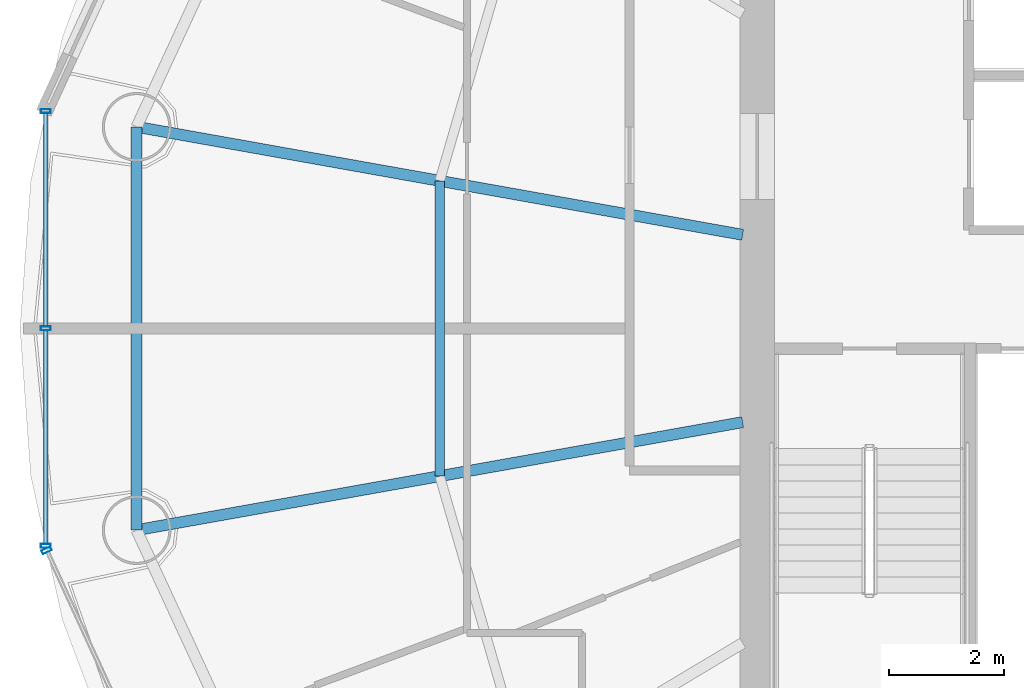
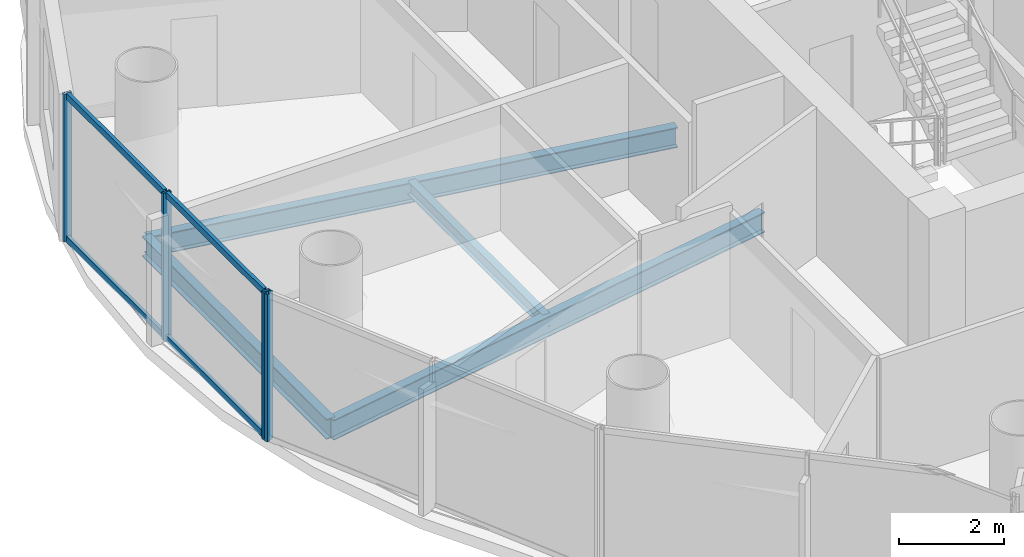
# One storey, part 7 of 26: 8 members, 4 beams, 2 elements without a shape of their own.
"""IFC4 building model written with IfcOpenShell, lengths in metres."""

import ifcopenshell
import ifcopenshell.guid

model = None  # the IFC model being written
_history = None  # IfcOwnerHistory: only IFC2X3 demands one
_inside = {}  # id of a spatial element -> (the spatial element, [elements in it])
_under = {}  # id of a project, library or spatial element -> (it, [spatial elements below it])
_declared = {}  # id of a project -> (the project, [libraries it declares])
_typed = {}  # id of a type object -> (the type object, [elements of that type])
_made_of = {}  # id of a material, layer set ... -> (it, [elements and type objects made of it])


def new_model(schema):
    """Start an empty IFC model of exactly this schema.

    Asked for "IFC4X3", IfcOpenShell would pick the latest addendum, in which some entities
    have other attributes; the version numbers below select the first issue.
    IFC2X3 requires an IfcOwnerHistory on every rooted entity: one is made here for all.
    """
    global model, _history
    if schema == "IFC4X3":
        model = ifcopenshell.file(schema_version=(4, 3, 0, 0))
    else:
        model = ifcopenshell.file(schema=schema)
    _inside.clear()
    _under.clear()
    _declared.clear()
    _typed.clear()
    _made_of.clear()
    _history = None
    if model.schema == "IFC2X3":
        org = make("IfcOrganization", Name="unknown")
        user = make(
            "IfcPersonAndOrganization",
            ThePerson=make("IfcPerson", FamilyName="unknown"),
            TheOrganization=org,
        )
        app = make(
            "IfcApplication",
            ApplicationDeveloper=org,
            Version="unknown",
            ApplicationFullName="unknown",
            ApplicationIdentifier="unknown",
        )
        _history = make(
            "IfcOwnerHistory",
            OwningUser=user,
            OwningApplication=app,
            ChangeAction="ADDED",
            CreationDate=0,
        )
    return model


def make(cls, **values):
    """One entity of the class cls with the attributes given. An attribute that is None is left unset."""
    return model.create_entity(
        cls, **{name: value for name, value in values.items() if value is not None}
    )


def rooted(cls, **values):
    """An entity with a GlobalId (a new one), such as an element, a storey or a relation."""
    return make(cls, GlobalId=ifcopenshell.guid.new(), OwnerHistory=_history, **values)


def si_unit(unit_type, name, prefix=None):
    """IfcSIUnit, for example si_unit("LENGTHUNIT", "METRE", prefix="MILLI")."""
    return make("IfcSIUnit", UnitType=unit_type, Prefix=prefix, Name=name)


def assignment(units):
    """IfcUnitAssignment: the units of a project."""
    return None if units is None else make("IfcUnitAssignment", Units=units)


def point(xyz):
    """IfcCartesianPoint."""
    return None if xyz is None else make("IfcCartesianPoint", Coordinates=xyz)


def direction(xyz):
    """IfcDirection."""
    return None if xyz is None else make("IfcDirection", DirectionRatios=xyz)


def frame(location, z_axis=None, x_axis=None):
    """IfcAxis2Placement3D, a coordinate frame: its origin and axes. An axis left out is left unset."""
    return make(
        "IfcAxis2Placement3D",
        Location=point(location),
        Axis=direction(z_axis),
        RefDirection=direction(x_axis),
    )


def frame_2d(location, x_axis=None):
    """IfcAxis2Placement2D, a coordinate frame in the plane: its origin and x axis."""
    return make(
        "IfcAxis2Placement2D", Location=point(location), RefDirection=direction(x_axis)
    )


def origin():
    """The frame at (0, 0, 0) with its axes left unset."""
    return frame((0.0, 0.0, 0.0))


def origin_2d():
    """The frame at (0, 0) in the plane with its x axis left unset."""
    return frame_2d((0.0, 0.0))


def place(relative_to, where):
    """IfcLocalPlacement: puts the frame where relative to a parent placement (None: the world)."""
    return make(
        "IfcLocalPlacement", PlacementRelTo=relative_to, RelativePlacement=where
    )


def context(
    kind, dimensions, precision=None, world=None, true_north=None, identifier=None
):
    """IfcGeometricRepresentationContext, for example the 3D "Model" context."""
    return make(
        "IfcGeometricRepresentationContext",
        ContextIdentifier=identifier,
        ContextType=kind,
        CoordinateSpaceDimension=dimensions,
        Precision=precision,
        WorldCoordinateSystem=world,
        TrueNorth=true_north,
    )


def subcontext(parent, identifier, kind, view, scale=None):
    """IfcGeometricRepresentationSubContext, for example "Body" below "Model"."""
    return make(
        "IfcGeometricRepresentationSubContext",
        ContextIdentifier=identifier,
        ContextType=kind,
        ParentContext=parent,
        TargetScale=scale,
        TargetView=view,
    )


def project(units=None, contexts=None):
    """IfcProject with its units and contexts."""
    return rooted(
        "IfcProject",
        Name="project",
        RepresentationContexts=contexts,
        UnitsInContext=assignment(units),
    )


def spatial(cls, under=None, at=None, **own):
    """A site, building, storey or space (cls), placed at a placement, below another one or the project."""
    s = rooted(cls, ObjectPlacement=at, **own)
    if under is not None:
        _under.setdefault(under.id(), (under, []))[1].append(s)
    return s


def profile(cls, at=None, kind="AREA", **sizes):
    """A parametric profile (cls). Its sizes go by their IFC names, for example OverallWidth=200.0."""
    return make(cls, ProfileType=kind, Position=at, **sizes)


def hollow_rectangle(**sizes):
    """IfcRectangleHollowProfileDef."""
    return profile("IfcRectangleHollowProfileDef", **sizes)


def i_section(**sizes):
    """IfcIShapeProfileDef."""
    return profile("IfcIShapeProfileDef", **sizes)


def extrude(swept, where, along, depth):
    """IfcExtrudedAreaSolid: the profile swept, set in the frame where, extruded along a direction by depth."""
    return make(
        "IfcExtrudedAreaSolid",
        SweptArea=swept,
        Position=where,
        ExtrudedDirection=direction(along),
        Depth=depth,
    )


def shape(context_of_items, identifier, shape_type, items):
    """IfcShapeRepresentation: the items that make up one representation, for example the "Body"."""
    return make(
        "IfcShapeRepresentation",
        ContextOfItems=context_of_items,
        RepresentationIdentifier=identifier,
        RepresentationType=shape_type,
        Items=items,
    )


def source(mapping_origin, context_of_items, identifier, shape_type, items):
    """IfcRepresentationMap: a shape defined once, which mapped items show again and again."""
    return make(
        "IfcRepresentationMap",
        MappingOrigin=mapping_origin,
        MappedRepresentation=shape(context_of_items, identifier, shape_type, items),
    )


def transform(
    local_origin,
    x_axis=None,
    y_axis=None,
    z_axis=None,
    scale=None,
    scale2=None,
    scale3=None,
    uniform=True,
):
    """IfcCartesianTransformationOperator3D, or its non-uniform kind. x_axis, y_axis, z_axis: its Axis1, 2, 3."""
    if uniform:
        return make(
            "IfcCartesianTransformationOperator3D",
            Axis1=direction(x_axis),
            Axis2=direction(y_axis),
            LocalOrigin=point(local_origin),
            Scale=scale,
            Axis3=direction(z_axis),
        )
    return make(
        "IfcCartesianTransformationOperator3DnonUniform",
        Axis1=direction(x_axis),
        Axis2=direction(y_axis),
        LocalOrigin=point(local_origin),
        Scale=scale,
        Axis3=direction(z_axis),
        Scale2=scale2,
        Scale3=scale3,
    )


def mapped(mapping_source, mapping_target):
    """IfcMappedItem: shows the shape of a source again, moved by a transform."""
    return make(
        "IfcMappedItem", MappingSource=mapping_source, MappingTarget=mapping_target
    )


def material(Name=None, Category=None):
    """IfcMaterial."""
    return make("IfcMaterial", Name=Name, Category=Category)


def material_profile(
    of_material, cross_section, Name=None, Category=None, Priority=None
):
    """IfcMaterialProfile: a cross section and its material."""
    return make(
        "IfcMaterialProfile",
        Name=Name,
        Material=of_material,
        Profile=cross_section,
        Priority=Priority,
        Category=Category,
    )


def profile_set(profiles, Name=None, composite=None):
    """IfcMaterialProfileSet."""
    return make(
        "IfcMaterialProfileSet",
        Name=Name,
        MaterialProfiles=profiles,
        CompositeProfile=composite,
    )


def made_of(thing, what):
    """Note that an element or type object is made of a material, layer set ...; save() writes the relation."""
    if what is not None:
        _made_of.setdefault(what.id(), (what, []))[1].append(thing)
    return thing


def type_object(cls, material=None, **own):
    """A type object (cls), such as IfcWallType, which elements share."""
    return made_of(rooted(cls, **own), material)


def element(
    cls,
    number,
    at=None,
    inside=None,
    cuts=None,
    type_object=None,
    material=None,
    context=None,
    identifier="Body",
    shape_type=None,
    held_by="IfcProductDefinitionShape",
    body=None,
    shapes=None,
    **own,
):
    """One element of the class cls, such as IfcWall. Its Tag is "e" and its number.

    at: its placement. inside: the storey or other place that contains it. cuts: it is an
    opening in that element (IfcRelVoidsElement). A single representation is given by context,
    identifier, shape_type and body (its items); several are given by shapes. held_by: the class
    of the entity that holds the representations. save() writes the other relations.
    """
    e = rooted(cls, Tag="e%d" % number, ObjectPlacement=at, **own)
    if body is not None:
        shapes = [shape(context, identifier, shape_type, body)]
    if shapes is not None:
        e.Representation = make(held_by, Representations=shapes)
    if inside is not None:
        _inside.setdefault(inside.id(), (inside, []))[1].append(e)
    if cuts is not None:
        rooted(
            "IfcRelVoidsElement", RelatingBuildingElement=cuts, RelatedOpeningElement=e
        )
    if type_object is not None:
        _typed.setdefault(type_object.id(), (type_object, []))[1].append(e)
    return made_of(e, material)


def aggregate(whole, parts):
    """IfcRelAggregates: a whole, such as a stair, and the parts it consists of."""
    return rooted("IfcRelAggregates", RelatingObject=whole, RelatedObjects=parts)


def save(model, path):
    """Write the relations noted so far, then the file.

    IfcRelAggregates (storeys below a building ...), IfcRelContainedInSpatialStructure (elements
    in a storey), IfcRelDefinesByType, IfcRelAssociatesMaterial and IfcRelDeclares: one each for
    every whole, place, type object, material and project.
    """
    for whole, parts in _under.values():
        aggregate(whole, parts)
    for where, things in _inside.values():
        rooted(
            "IfcRelContainedInSpatialStructure",
            RelatedElements=things,
            RelatingStructure=where,
        )
    for kind, things in _typed.values():
        rooted("IfcRelDefinesByType", RelatedObjects=things, RelatingType=kind)
    for what, things in _made_of.values():
        rooted("IfcRelAssociatesMaterial", RelatedObjects=things, RelatingMaterial=what)
    for by, libraries in _declared.values():
        rooted("IfcRelDeclares", RelatingContext=by, RelatedDefinitions=libraries)
    model.write(path)


model = new_model("IFC4")

# Units and contexts
model_context = context("Model", 3, precision=1e-05, world=origin(), true_north=direction((-0.2419218956, 0.970295726276)))
body_context = subcontext(model_context, "Body", "Model", "MODEL_VIEW")
ifc_project = project(units=[si_unit("LENGTHUNIT", "METRE"), si_unit("AREAUNIT", "SQUARE_METRE"), si_unit("VOLUMEUNIT", "CUBIC_METRE"), si_unit("PLANEANGLEUNIT", "RADIAN"), si_unit("MASSUNIT", "GRAM", prefix="KILO")], contexts=[model_context])

# Site, building, storey
site_placement = place(None, origin())
site = spatial("IfcSite", under=ifc_project, at=site_placement, CompositionType="ELEMENT")
building_placement = place(site_placement, origin())
building = spatial("IfcBuilding", under=site, at=building_placement, Name="Cobrevalo Terracotta Tower", CompositionType="ELEMENT")
storey_placement = place(building_placement, frame((0.0, 0.0, 213.39990234375)))
storey = spatial("IfcBuildingStorey", under=building, at=storey_placement, Name="L56", CompositionType="ELEMENT", Elevation=213.39990234375)

# Beams
ifc_material_1 = material(Name="Steel S355", Category="steel")
ifc_material_profile_1 = material_profile(ifc_material_1, i_section(OverallWidth=0.194091796875, OverallDepth=0.468994140625, WebThickness=0.011474609375, FlangeThickness=0.0205078125, at=origin_2d()), Name="W 460x106")
ifc_profile_set_1 = profile_set([ifc_material_profile_1], Name="Steel S355")
beam_type_1 = type_object("IfcBeamType", Name="Structural Beam W 460x106 (Steel S355)", PredefinedType="BEAM", material=ifc_profile_set_1)
for number, where, z_axis, x_axis, name in (
    (1, (18.237060546875, 30.3212890625, -0.49951171875), (0.98449712063, -0.175400739656, 0.0), (0.175400739656, 0.98449712063, 0.0), "L56 radial floor girder 08"),
    (2, (18.237060546875, 23.278564453125, -0.49951171875), (0.984493198547, 0.175422752274, 0.0), (-0.175422752274, 0.984493198547, 0.0), "L56 radial floor girder 09"),
):
    element("IfcBeam", number, at=place(storey_placement, frame(where, z_axis=z_axis, x_axis=x_axis)), inside=storey, type_object=beam_type_1, Name=name, PredefinedType="BEAM", context=body_context, shape_type="SweptSolid", body=[
        extrude(i_section(OverallWidth=0.194091796875, OverallDepth=0.468994140625, WebThickness=0.011474609375, FlangeThickness=0.0205078125, at=origin_2d()), origin(), (0.0, 0.0, 1.0), 10.749755859375),
    ])
ifc_material_profile_2 = material_profile(ifc_material_1, i_section(OverallWidth=0.1650390625, OverallDepth=0.31005859375, WebThickness=0.005859375, FlangeThickness=0.009765625, at=origin_2d()), Name="W 310x38.7")
ifc_profile_set_2 = profile_set([ifc_material_profile_2], Name="Steel S355")
beam_type_2 = type_object("IfcBeamType", Name="Structural Joist W 310x38.7 (Steel S355)", PredefinedType="JOIST", material=ifc_profile_set_2)
beam_1_placement = place(storey_placement, frame((23.528564453125, 29.378662109375, -0.419921875), z_axis=(0.0, -1.0, 0.0), x_axis=(1.0, 0.0, 0.0)))
element("IfcBeam", 3, at=beam_1_placement, inside=storey, type_object=beam_type_2, Name="L56 circumferential secondary floor joist 08", PredefinedType="JOIST", context=body_context, shape_type="SweptSolid", body=[
    extrude(i_section(OverallWidth=0.1650390625, OverallDepth=0.31005859375, WebThickness=0.005859375, FlangeThickness=0.009765625, at=origin_2d()), origin(), (0.0, 0.0, 1.0), 5.1572265625),
])
ifc_material_profile_3 = material_profile(ifc_material_1, i_section(OverallWidth=0.194091796875, OverallDepth=0.468994140625, WebThickness=0.011474609375, FlangeThickness=0.0205078125, at=origin_2d()), Name="W 460x106")
ifc_profile_set_3 = profile_set([ifc_material_profile_3], Name="Steel S355")
beam_type_3 = type_object("IfcBeamType", Name="Structural Spandrel W 460x106 (Steel S355)", PredefinedType="SPANDREL", material=ifc_profile_set_3)
beam_2_placement = place(storey_placement, frame((18.237060546875, 30.3212890625, -0.49951171875), z_axis=(0.0, -1.0, 0.0), x_axis=(1.0, 0.0, 0.0)))
element("IfcBeam", 4, at=beam_2_placement, inside=storey, type_object=beam_type_3, Name="L56 perimeter ring spandrel 08", PredefinedType="SPANDREL", context=body_context, shape_type="SweptSolid", body=[
    extrude(i_section(OverallWidth=0.194091796875, OverallDepth=0.468994140625, WebThickness=0.011474609375, FlangeThickness=0.0205078125, at=origin_2d()), origin(), (0.0, 0.0, 1.0), 7.042724609375),
])

# Curtain wall, members
ifc_material_2 = material(Name="Anodized aluminium", Category="aluminium")
curtain_wall_type = type_object("IfcCurtainWallType", Name="Mid-tower high-wind unitised curtain wall CW-U2", PredefinedType="NOTDEFINED", material=ifc_material_2)
curtain_wall_1_placement = place(storey_placement, origin())
curtain_wall_1 = element("IfcCurtainWall", 5, at=curtain_wall_1_placement, inside=storey, type_object=curtain_wall_type, Name="L56 curtain wall CW-L56-S08", PredefinedType="NOTDEFINED")
ifc_material_profile_4 = material_profile(ifc_material_2, hollow_rectangle(XDim=0.074951171875, YDim=0.14990234375, WallThickness=0.00439453125, at=origin_2d()), Name="CWT 75x150")
ifc_profile_set_4 = profile_set([ifc_material_profile_4], Name="Anodized aluminium")
member_type_1 = type_object("IfcMemberType", Name="Tower unitised aluminium transom 75x150", PredefinedType="USERDEFINED", material=ifc_profile_set_4)
shared_shape_1 = source(origin(), body_context, "Body", "SweptSolid", [
    extrude(hollow_rectangle(XDim=0.074951171875, YDim=0.14990234375, WallThickness=0.00439453125, at=origin_2d()), origin(), (0.0, 0.0, 1.0), 3.71728515625),
])
member_1_placement = place(storey_placement, frame((16.648193359375, 30.557373046875, 0.050048828125), z_axis=(0.0, -1.0, 0.0), x_axis=(1.0, 0.0, 0.0)))
member_1 = element("IfcMember", 6, at=member_1_placement, type_object=member_type_1, Name="CW-L56-S08 transom B01-T1", ObjectType="TRANSOM", PredefinedType="USERDEFINED", context=body_context, shape_type="MappedRepresentation", body=[
    mapped(shared_shape_1, transform((0.0, 0.0, 0.0), scale=1.0)),
])
member_2_placement = place(storey_placement, frame((16.648193359375, 30.557373046875, 3.385009765625), z_axis=(0.0, -1.0, 0.0), x_axis=(1.0, 0.0, 0.0)))
member_2 = element("IfcMember", 7, at=member_2_placement, type_object=member_type_1, Name="CW-L56-S08 transom B01-T2", ObjectType="TRANSOM", PredefinedType="USERDEFINED", context=body_context, shape_type="MappedRepresentation", body=[
    mapped(shared_shape_1, transform((0.0, 0.0, 0.0), scale=1.0)),
])
shared_shape_2 = source(origin(), body_context, "Body", "SweptSolid", [
    extrude(hollow_rectangle(XDim=0.074951171875, YDim=0.14990234375, WallThickness=0.00439453125, at=origin_2d()), origin(), (0.0, 0.0, 1.0), 3.717529296875),
])
member_3_placement = place(storey_placement, frame((16.648193359375, 26.760009765625, 0.050048828125), z_axis=(0.0, -1.0, 0.0), x_axis=(1.0, 0.0, 0.0)))
member_3 = element("IfcMember", 8, at=member_3_placement, type_object=member_type_1, Name="CW-L56-S08 transom B02-T1", ObjectType="TRANSOM", PredefinedType="USERDEFINED", context=body_context, shape_type="MappedRepresentation", body=[
    mapped(shared_shape_2, transform((0.0, 0.0, 0.0), scale=1.0)),
])
member_4_placement = place(storey_placement, frame((16.648193359375, 26.760009765625, 3.385009765625), z_axis=(0.0, -1.0, 0.0), x_axis=(1.0, 0.0, 0.0)))
member_4 = element("IfcMember", 9, at=member_4_placement, type_object=member_type_1, Name="CW-L56-S08 transom B02-T2", ObjectType="TRANSOM", PredefinedType="USERDEFINED", context=body_context, shape_type="MappedRepresentation", body=[
    mapped(shared_shape_2, transform((0.0, 0.0, 0.0), scale=1.0)),
])
ifc_material_profile_5 = material_profile(ifc_material_2, hollow_rectangle(XDim=0.070068359375, YDim=0.169921875, WallThickness=0.00439453125, at=origin_2d()), Name="CWM 70x170")
ifc_profile_set_5 = profile_set([ifc_material_profile_5], Name="Anodized aluminium")
member_type_2 = type_object("IfcMemberType", Name="Upper tower unitised mullion 70x170", PredefinedType="MULLION", material=ifc_profile_set_5)
shared_shape_3 = source(origin(), body_context, "Body", "SweptSolid", [
    extrude(hollow_rectangle(XDim=0.070068359375, YDim=0.169921875, WallThickness=0.00439453125, at=origin_2d()), origin(), (0.0, 0.0, 1.0), 3.43505859375),
])
member_5_placement = place(storey_placement, frame((16.648193359375, 30.597412109375, 0.0), z_axis=(0.0, 0.0, 1.0), x_axis=(0.0, -1.0, 0.0)))
member_5 = element("IfcMember", 10, at=member_5_placement, type_object=member_type_2, Name="CW-L56-S08 vertical mullion 01", PredefinedType="MULLION", context=body_context, shape_type="MappedRepresentation", body=[
    mapped(shared_shape_3, transform((0.0, 0.0, 0.0), scale=1.0)),
])
member_6_placement = place(storey_placement, frame((16.648193359375, 26.800048828125, 0.0), z_axis=(0.0, 0.0, 1.0), x_axis=(0.0, -1.0, 0.0)))
member_6 = element("IfcMember", 11, at=member_6_placement, type_object=member_type_2, Name="CW-L56-S08 vertical mullion 02", PredefinedType="MULLION", context=body_context, shape_type="MappedRepresentation", body=[
    mapped(shared_shape_3, transform((0.0, 0.0, 0.0), scale=1.0)),
])
member_7_placement = place(storey_placement, frame((16.648193359375, 23.002685546875, 0.0), z_axis=(0.0, 0.0, 1.0), x_axis=(0.0, -1.0, 0.0)))
member_7 = element("IfcMember", 12, at=member_7_placement, type_object=member_type_2, Name="CW-L56-S08 vertical mullion 03", PredefinedType="MULLION", context=body_context, shape_type="MappedRepresentation", body=[
    mapped(shared_shape_3, transform((0.0, 0.0, 0.0), scale=1.0)),
])
aggregate(curtain_wall_1, [member_5, member_6, member_7, member_1, member_2, member_3, member_4])

# Curtain wall, member
curtain_wall_2_placement = place(storey_placement, origin())
curtain_wall_2 = element("IfcCurtainWall", 13, at=curtain_wall_2_placement, inside=storey, type_object=curtain_wall_type, Name="L56 curtain wall CW-L56-S09", PredefinedType="NOTDEFINED")
member_8_placement = place(storey_placement, frame((16.6650390625, 22.92626953125, 0.0), z_axis=(0.0, 0.0, 1.0), x_axis=(0.41672507912, -0.909032567311, 0.0)))
member_8 = element("IfcMember", 14, at=member_8_placement, type_object=member_type_2, Name="CW-L56-S09 vertical mullion 01", PredefinedType="MULLION", context=body_context, shape_type="MappedRepresentation", body=[
    mapped(shared_shape_3, transform((0.0, 0.0, 0.0), scale=1.0)),
])
aggregate(curtain_wall_2, [member_8])

save(model, "model.ifc")
